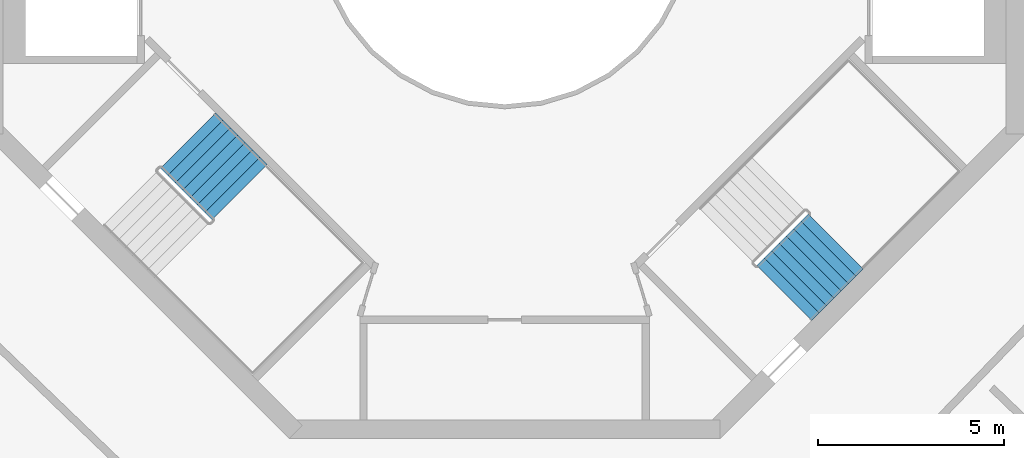
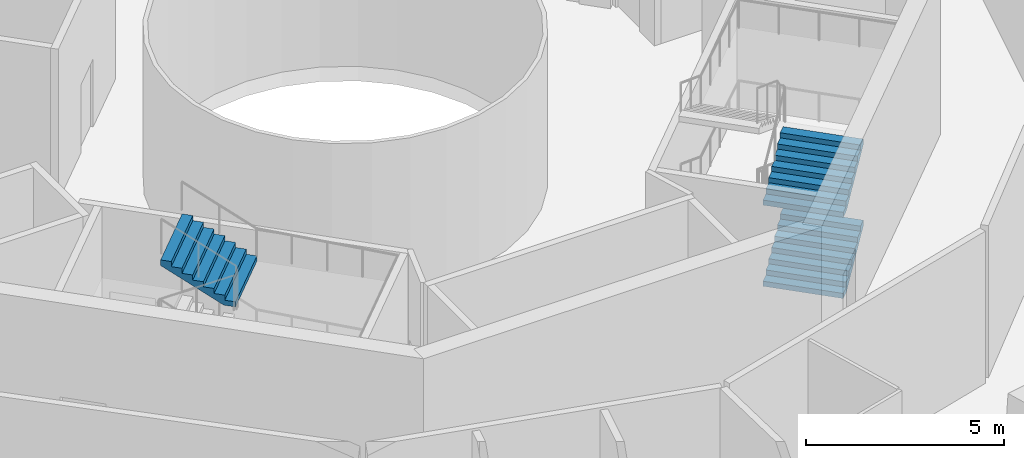
# One storey, part 13 of 17: 3 stair flights, 2 elements without a shape of their own.
"""IFC4 building model written with IfcOpenShell, lengths in metres."""

from ifc_helpers import new_model, si_unit, direction, frame, origin, place, context, subcontext, project, spatial, triangles, material, type_object, element, aggregate, save


model = new_model("IFC4")

# Units and contexts
model_context = context("Model", 3, precision=1e-05, world=origin(), true_north=direction((0.0, 1.0)))
body_context = subcontext(model_context, "Body", "Model", "MODEL_VIEW")
ifc_project = project(units=[si_unit("LENGTHUNIT", "METRE"), si_unit("AREAUNIT", "SQUARE_METRE"), si_unit("VOLUMEUNIT", "CUBIC_METRE"), si_unit("PLANEANGLEUNIT", "RADIAN"), si_unit("MASSUNIT", "GRAM", prefix="KILO")], contexts=[model_context])

# Site, building, storey
site_placement = place(None, origin())
site = spatial("IfcSite", under=ifc_project, at=site_placement, CompositionType="ELEMENT")
building_placement = place(site_placement, origin())
building = spatial("IfcBuilding", under=site, at=building_placement, Name="Verdalira Terraces Hotel", CompositionType="ELEMENT")
storey_placement = place(building_placement, frame((0.0, 0.0, 222.0)))
storey = spatial("IfcBuildingStorey", under=building, at=storey_placement, Name="L54", CompositionType="ELEMENT", Elevation=222.0)

# Stair, stair flight
ifc_material_1 = material(Name="Concrete C40", Category="concrete")
stair_type = type_object("IfcStairType", Name="Core stair 32 risers 2100 mm wide", PredefinedType="HALF_TURN_STAIR", material=ifc_material_1)
stair_1_placement = place(storey_placement, origin())
stair_1 = element("IfcStair", 1, at=stair_1_placement, inside=storey, type_object=stair_type, Name="L54 Exit stair ST2", PredefinedType="HALF_TURN_STAIR")
ifc_material_2 = material(Name="Concrete C40", Category="concrete")
stair_flight_type = type_object("IfcStairFlightType", Name="Core stair flight 32 risers 2100 mm wide", PredefinedType="STRAIGHT", material=ifc_material_2)
stair_flight_1_placement = place(storey_placement, frame((-7.134766, -7.361084, 3.75), z_axis=(0.0, 0.0, 1.0), x_axis=(-0.707106781, 0.707106781, 0.0)))
stair_flight_1 = element("IfcStairFlight", 2, at=stair_flight_1_placement, type_object=stair_flight_type, Name="ST2 flight 4", NumberOfRisers=8, NumberOfTreads=7, PredefinedType="STRAIGHT", RiserHeight=0.15625, TreadLength=0.28, context=body_context, shape_type="Tessellation", body=[
    triangles([(0.0, 1.050049, 0.0), (0.307617, 1.050049, 0.0), (1.959961, 1.050049, 0.922119), (0.0, -1.050049, 0.0), (0.307617, -1.050049, 0.0), (1.959961, -1.050049, 0.922119), (1.959961, 1.050049, 1.09375), (1.679932, 1.050049, 1.09375), (1.959961, -1.050049, 1.09375), (1.679932, -1.050049, 1.09375), (1.679932, 1.050049, 0.9375), (1.679932, -1.050049, 0.9375), (1.399902, 1.050049, 0.9375), (1.399902, -1.050049, 0.9375), (1.399902, 1.050049, 0.78125), (1.399902, -1.050049, 0.78125), (1.120117, 1.050049, 0.78125), (1.120117, 1.050049, 0.625), (1.120117, -1.050049, 0.78125), (1.120117, -1.050049, 0.625), (0.840088, 1.050049, 0.625), (0.840088, 1.050049, 0.46875), (0.840088, -1.050049, 0.625), (0.840088, -1.050049, 0.46875), (0.560059, 1.050049, 0.46875), (0.560059, 1.050049, 0.3125), (0.560059, -1.050049, 0.46875), (0.560059, -1.050049, 0.3125), (0.280029, 1.050049, 0.3125), (0.280029, 1.050049, 0.15625), (0.280029, -1.050049, 0.3125), (0.280029, -1.050049, 0.15625), (0.0, 1.050049, 0.15625), (0.0, -1.050049, 0.15625), (0.0, -0.984421, 0.0), (0.0, -0.984421, 0.15625), (0.0, -0.918793, 0.0), (0.0, -0.918793, 0.15625), (0.0, -0.853165, 0.0), (0.0, -0.853165, 0.15625), (0.0, -0.787537, 0.0), (0.0, -0.787537, 0.15625), (0.0, -0.721909, 0.0), (0.0, -0.721909, 0.15625), (0.0, -0.656281, 0.0), (0.0, -0.656281, 0.15625), (0.0, -0.590652, 0.0), (0.0, -0.590652, 0.15625), (0.0, -0.525024, 0.0), (0.0, -0.525024, 0.15625), (0.0, -0.459396, 0.0), (0.0, -0.459396, 0.15625), (0.0, -0.393768, 0.0), (0.0, -0.393768, 0.15625), (0.0, -0.32814, 0.0), (0.0, -0.32814, 0.15625), (0.0, -0.262512, 0.0), (0.0, -0.262512, 0.15625), (0.0, -0.196884, 0.0), (0.0, -0.196884, 0.15625), (0.0, -0.131256, 0.0), (0.0, -0.131256, 0.15625), (0.0, -0.065628, 0.0), (0.0, -0.065628, 0.15625), (0.0, 0.0, 0.0), (0.0, 0.0, 0.15625), (0.0, 0.065628, 0.0), (0.0, 0.065628, 0.15625), (0.0, 0.131256, 0.0), (0.0, 0.131256, 0.15625), (0.0, 0.196884, 0.0), (0.0, 0.196884, 0.15625), (0.0, 0.262512, 0.0), (0.0, 0.262512, 0.15625), (0.0, 0.32814, 0.0), (0.0, 0.32814, 0.15625), (0.0, 0.393768, 0.0), (0.0, 0.393768, 0.15625), (0.0, 0.459396, 0.0), (0.0, 0.459396, 0.15625), (0.0, 0.525024, 0.0), (0.0, 0.525024, 0.15625), (0.0, 0.590652, 0.0), (0.0, 0.590652, 0.15625), (0.0, 0.656281, 0.0), (0.0, 0.656281, 0.15625), (0.0, 0.721909, 0.0), (0.0, 0.721909, 0.15625), (0.0, 0.787537, 0.0), (0.0, 0.787537, 0.15625), (0.0, 0.853165, 0.0), (0.0, 0.853165, 0.15625), (0.0, 0.918793, 0.0), (0.0, 0.918793, 0.15625), (0.0, 0.984421, 0.0), (0.0, 0.984421, 0.15625), (1.959961, -0.984421, 1.09375), (1.959961, -0.918793, 1.09375), (1.959961, -0.853165, 1.09375), (1.959961, -0.787537, 1.09375), (1.959961, -0.721909, 1.09375), (1.959961, -0.656281, 1.09375), (1.959961, -0.590652, 1.09375), (1.959961, -0.525024, 1.09375), (1.959961, -0.459396, 1.09375), (1.959961, -0.393768, 1.09375), (1.959961, -0.32814, 1.09375), (1.959961, -0.262512, 1.09375), (1.959961, -0.196884, 1.09375), (1.959961, -0.131256, 1.09375), (1.959961, -0.065628, 1.09375), (1.959961, 0.0, 1.09375), (1.959961, 0.065628, 1.09375), (1.959961, 0.131256, 1.09375), (1.959961, 0.196884, 1.09375), (1.959961, 0.262512, 1.09375), (1.959961, 0.32814, 1.09375), (1.959961, 0.393768, 1.09375), (1.959961, 0.459396, 1.09375), (1.959961, 0.525024, 1.09375), (1.959961, 0.590652, 1.09375), (1.959961, 0.656281, 1.09375), (1.959961, 0.721909, 1.09375), (1.959961, 0.787537, 1.09375), (1.959961, 0.853165, 1.09375), (1.959961, 0.918793, 1.09375), (1.959961, 0.984421, 1.09375), (1.959961, -0.984421, 0.922119), (1.959961, -0.918793, 0.922119), (1.959961, -0.853165, 0.922119), (1.959961, -0.787537, 0.922119), (1.959961, -0.721909, 0.922119), (1.959961, -0.656281, 0.922119), (1.959961, -0.590652, 0.922119), (1.959961, -0.525024, 0.922119), (1.959961, -0.459396, 0.922119), (1.959961, -0.393768, 0.922119), (1.959961, -0.32814, 0.922119), (1.959961, -0.262512, 0.922119), (1.959961, -0.196884, 0.922119), (1.959961, -0.131256, 0.922119), (1.959961, -0.065628, 0.922119), (1.959961, 0.0, 0.922119), (1.959961, 0.065628, 0.922119), (1.959961, 0.131256, 0.922119), (1.959961, 0.196884, 0.922119), (1.959961, 0.262512, 0.922119), (1.959961, 0.32814, 0.922119), (1.959961, 0.393768, 0.922119), (1.959961, 0.459396, 0.922119), (1.959961, 0.525024, 0.922119), (1.959961, 0.590652, 0.922119), (1.959961, 0.656281, 0.922119), (1.959961, 0.721909, 0.922119), (1.959961, 0.787537, 0.922119), (1.959961, 0.853165, 0.922119), (1.959961, 0.918793, 0.922119), (1.959961, 0.984421, 0.922119)], [[1, 3, 2], [4, 5, 6], [3, 8, 7], [6, 9, 10], [3, 11, 8], [6, 10, 12], [3, 13, 11], [6, 12, 14], [3, 15, 13], [6, 14, 16], [15, 18, 17], [16, 19, 20], [3, 18, 15], [6, 16, 20], [18, 22, 21], [20, 23, 24], [3, 22, 18], [6, 20, 24], [22, 26, 25], [24, 27, 28], [3, 26, 22], [6, 24, 28], [26, 30, 29], [28, 31, 32], [3, 30, 26], [6, 28, 32], [1, 30, 3], [4, 6, 32], [30, 1, 33], [32, 34, 4], [4, 36, 35], [4, 34, 36], [35, 38, 37], [35, 36, 38], [37, 40, 39], [37, 38, 40], [39, 42, 41], [39, 40, 42], [41, 44, 43], [41, 42, 44], [43, 46, 45], [43, 44, 46], [45, 48, 47], [45, 46, 48], [47, 50, 49], [47, 48, 50], [49, 52, 51], [49, 50, 52], [51, 54, 53], [51, 52, 54], [53, 56, 55], [53, 54, 56], [55, 58, 57], [55, 56, 58], [57, 60, 59], [57, 58, 60], [59, 62, 61], [59, 60, 62], [61, 64, 63], [61, 62, 64], [63, 66, 65], [63, 64, 66], [65, 68, 67], [65, 66, 68], [67, 70, 69], [67, 68, 70], [69, 72, 71], [69, 70, 72], [71, 74, 73], [71, 72, 74], [73, 76, 75], [73, 74, 76], [75, 78, 77], [75, 76, 78], [77, 80, 79], [77, 78, 80], [79, 82, 81], [79, 80, 82], [81, 84, 83], [81, 82, 84], [83, 86, 85], [83, 84, 86], [85, 88, 87], [85, 86, 88], [87, 90, 89], [87, 88, 90], [89, 92, 91], [89, 90, 92], [91, 94, 93], [91, 92, 94], [93, 96, 95], [93, 94, 96], [95, 33, 1], [95, 96, 33], [34, 32, 36], [36, 32, 38], [38, 32, 40], [40, 32, 42], [42, 32, 44], [44, 32, 46], [46, 32, 48], [48, 32, 50], [50, 32, 52], [52, 32, 54], [54, 32, 56], [56, 32, 58], [58, 32, 60], [60, 32, 62], [62, 32, 64], [64, 32, 66], [66, 32, 68], [68, 32, 70], [70, 32, 72], [72, 32, 74], [74, 32, 76], [76, 32, 78], [78, 32, 80], [80, 32, 82], [82, 32, 84], [84, 32, 86], [86, 32, 88], [88, 32, 90], [90, 32, 92], [92, 32, 94], [94, 32, 96], [96, 32, 33], [33, 32, 30], [32, 29, 30], [32, 31, 29], [31, 26, 29], [31, 28, 26], [28, 25, 26], [28, 27, 25], [27, 22, 25], [27, 24, 22], [24, 21, 22], [24, 23, 21], [23, 18, 21], [23, 20, 18], [20, 17, 18], [20, 19, 17], [19, 15, 17], [19, 16, 15], [16, 13, 15], [16, 14, 13], [14, 11, 13], [14, 12, 11], [12, 8, 11], [12, 10, 8], [9, 97, 10], [97, 98, 10], [98, 99, 10], [99, 100, 10], [100, 101, 10], [101, 102, 10], [102, 103, 10], [103, 104, 10], [104, 105, 10], [105, 106, 10], [106, 107, 10], [107, 108, 10], [108, 109, 10], [109, 110, 10], [110, 111, 10], [111, 112, 10], [112, 113, 10], [113, 114, 10], [114, 115, 10], [115, 116, 10], [116, 117, 10], [117, 118, 10], [118, 119, 10], [119, 120, 10], [120, 121, 10], [121, 122, 10], [122, 123, 10], [123, 124, 10], [124, 125, 10], [125, 126, 10], [126, 127, 10], [127, 7, 10], [7, 8, 10], [9, 128, 97], [9, 6, 128], [97, 129, 98], [97, 128, 129], [98, 130, 99], [98, 129, 130], [99, 131, 100], [99, 130, 131], [100, 132, 101], [100, 131, 132], [101, 133, 102], [101, 132, 133], [102, 134, 103], [102, 133, 134], [103, 135, 104], [103, 134, 135], [104, 136, 105], [104, 135, 136], [105, 137, 106], [105, 136, 137], [106, 138, 107], [106, 137, 138], [107, 139, 108], [107, 138, 139], [108, 140, 109], [108, 139, 140], [109, 141, 110], [109, 140, 141], [110, 142, 111], [110, 141, 142], [111, 143, 112], [111, 142, 143], [112, 144, 113], [112, 143, 144], [113, 145, 114], [113, 144, 145], [114, 146, 115], [114, 145, 146], [115, 147, 116], [115, 146, 147], [116, 148, 117], [116, 147, 148], [117, 149, 118], [117, 148, 149], [118, 150, 119], [118, 149, 150], [119, 151, 120], [119, 150, 151], [120, 152, 121], [120, 151, 152], [121, 153, 122], [121, 152, 153], [122, 154, 123], [122, 153, 154], [123, 155, 124], [123, 154, 155], [124, 156, 125], [124, 155, 156], [125, 157, 126], [125, 156, 157], [126, 158, 127], [126, 157, 158], [127, 3, 7], [127, 158, 3], [6, 5, 128], [128, 5, 129], [129, 5, 130], [130, 5, 131], [131, 5, 132], [132, 5, 133], [133, 5, 134], [134, 5, 135], [135, 5, 136], [136, 5, 137], [137, 5, 138], [138, 5, 139], [139, 5, 140], [140, 5, 141], [141, 5, 142], [142, 5, 143], [143, 5, 144], [144, 5, 145], [145, 5, 146], [146, 5, 147], [147, 5, 148], [148, 5, 149], [149, 5, 150], [150, 5, 151], [151, 5, 152], [152, 5, 153], [153, 5, 154], [154, 5, 155], [155, 5, 156], [156, 5, 157], [157, 5, 158], [158, 5, 3], [3, 5, 2], [4, 35, 5], [35, 37, 5], [37, 39, 5], [39, 41, 5], [41, 43, 5], [43, 45, 5], [45, 47, 5], [47, 49, 5], [49, 51, 5], [51, 53, 5], [53, 55, 5], [55, 57, 5], [57, 59, 5], [59, 61, 5], [61, 63, 5], [63, 65, 5], [65, 67, 5], [67, 69, 5], [69, 71, 5], [71, 73, 5], [73, 75, 5], [75, 77, 5], [77, 79, 5], [79, 81, 5], [81, 83, 5], [83, 85, 5], [85, 87, 5], [87, 89, 5], [89, 91, 5], [91, 93, 5], [93, 95, 5], [95, 1, 5], [1, 2, 5]], closed=True),
])
aggregate(stair_1, [stair_flight_1])

# Stair, stair flights
stair_2_placement = place(storey_placement, origin())
stair_2 = element("IfcStair", 3, at=stair_2_placement, inside=storey, type_object=stair_type, Name="L54 Exit stair ST3", PredefinedType="HALF_TURN_STAIR")
stair_flight_2_placement = place(storey_placement, frame((7.530762, -10.076172, 0.0), z_axis=(0.0, 0.0, 1.0), x_axis=(0.707106781, 0.707106781, 0.0)))
stair_flight_2 = element("IfcStairFlight", 4, at=stair_flight_2_placement, type_object=stair_flight_type, Name="ST3 flight 1", NumberOfRisers=8, NumberOfTreads=7, PredefinedType="STRAIGHT", RiserHeight=0.15625, TreadLength=0.28, context=body_context, shape_type="Tessellation", body=[
    triangles([(0.0, 1.050049, 0.0), (0.307617, 1.050049, 0.0), (1.959961, 1.050049, 0.922119), (0.0, -1.050049, 0.0), (0.307617, -1.050049, 0.0), (1.959961, -1.050049, 0.922119), (1.959961, 1.050049, 1.09375), (1.679932, 1.050049, 1.09375), (1.959961, -1.050049, 1.09375), (1.679932, -1.050049, 1.09375), (1.679932, 1.050049, 0.9375), (1.679932, -1.050049, 0.9375), (1.399902, 1.050049, 0.9375), (1.399902, -1.050049, 0.9375), (1.399902, 1.050049, 0.78125), (1.399902, -1.050049, 0.78125), (1.120117, 1.050049, 0.78125), (1.120117, 1.050049, 0.625), (1.120117, -1.050049, 0.78125), (1.120117, -1.050049, 0.625), (0.840088, 1.050049, 0.625), (0.840088, 1.050049, 0.46875), (0.840088, -1.050049, 0.625), (0.840088, -1.050049, 0.46875), (0.560059, 1.050049, 0.46875), (0.560059, 1.050049, 0.3125), (0.560059, -1.050049, 0.46875), (0.560059, -1.050049, 0.3125), (0.280029, 1.050049, 0.3125), (0.280029, 1.050049, 0.15625), (0.280029, -1.050049, 0.3125), (0.280029, -1.050049, 0.15625), (0.0, 1.050049, 0.15625), (0.0, -1.050049, 0.15625), (0.0, -0.984421, 0.0), (0.0, -0.984421, 0.15625), (0.0, -0.918793, 0.0), (0.0, -0.918793, 0.15625), (0.0, -0.853165, 0.0), (0.0, -0.853165, 0.15625), (0.0, -0.787537, 0.0), (0.0, -0.787537, 0.15625), (0.0, -0.721909, 0.0), (0.0, -0.721909, 0.15625), (0.0, -0.656281, 0.0), (0.0, -0.656281, 0.15625), (0.0, -0.590652, 0.0), (0.0, -0.590652, 0.15625), (0.0, -0.525024, 0.0), (0.0, -0.525024, 0.15625), (0.0, -0.459396, 0.0), (0.0, -0.459396, 0.15625), (0.0, -0.393768, 0.0), (0.0, -0.393768, 0.15625), (0.0, -0.32814, 0.0), (0.0, -0.32814, 0.15625), (0.0, -0.262512, 0.0), (0.0, -0.262512, 0.15625), (0.0, -0.196884, 0.0), (0.0, -0.196884, 0.15625), (0.0, -0.131256, 0.0), (0.0, -0.131256, 0.15625), (0.0, -0.065628, 0.0), (0.0, -0.065628, 0.15625), (0.0, 0.0, 0.0), (0.0, 0.0, 0.15625), (0.0, 0.065628, 0.0), (0.0, 0.065628, 0.15625), (0.0, 0.131256, 0.0), (0.0, 0.131256, 0.15625), (0.0, 0.196884, 0.0), (0.0, 0.196884, 0.15625), (0.0, 0.262512, 0.0), (0.0, 0.262512, 0.15625), (0.0, 0.32814, 0.0), (0.0, 0.32814, 0.15625), (0.0, 0.393768, 0.0), (0.0, 0.393768, 0.15625), (0.0, 0.459396, 0.0), (0.0, 0.459396, 0.15625), (0.0, 0.525024, 0.0), (0.0, 0.525024, 0.15625), (0.0, 0.590652, 0.0), (0.0, 0.590652, 0.15625), (0.0, 0.656281, 0.0), (0.0, 0.656281, 0.15625), (0.0, 0.721909, 0.0), (0.0, 0.721909, 0.15625), (0.0, 0.787537, 0.0), (0.0, 0.787537, 0.15625), (0.0, 0.853165, 0.0), (0.0, 0.853165, 0.15625), (0.0, 0.918793, 0.0), (0.0, 0.918793, 0.15625), (0.0, 0.984421, 0.0), (0.0, 0.984421, 0.15625), (1.959961, -0.984421, 1.09375), (1.959961, -0.918793, 1.09375), (1.959961, -0.853165, 1.09375), (1.959961, -0.787537, 1.09375), (1.959961, -0.721909, 1.09375), (1.959961, -0.656281, 1.09375), (1.959961, -0.590652, 1.09375), (1.959961, -0.525024, 1.09375), (1.959961, -0.459396, 1.09375), (1.959961, -0.393768, 1.09375), (1.959961, -0.32814, 1.09375), (1.959961, -0.262512, 1.09375), (1.959961, -0.196884, 1.09375), (1.959961, -0.131256, 1.09375), (1.959961, -0.065628, 1.09375), (1.959961, 0.0, 1.09375), (1.959961, 0.065628, 1.09375), (1.959961, 0.131256, 1.09375), (1.959961, 0.196884, 1.09375), (1.959961, 0.262512, 1.09375), (1.959961, 0.32814, 1.09375), (1.959961, 0.393768, 1.09375), (1.959961, 0.459396, 1.09375), (1.959961, 0.525024, 1.09375), (1.959961, 0.590652, 1.09375), (1.959961, 0.656281, 1.09375), (1.959961, 0.721909, 1.09375), (1.959961, 0.787537, 1.09375), (1.959961, 0.853165, 1.09375), (1.959961, 0.918793, 1.09375), (1.959961, 0.984421, 1.09375), (1.959961, -0.984421, 0.922119), (1.959961, -0.918793, 0.922119), (1.959961, -0.853165, 0.922119), (1.959961, -0.787537, 0.922119), (1.959961, -0.721909, 0.922119), (1.959961, -0.656281, 0.922119), (1.959961, -0.590652, 0.922119), (1.959961, -0.525024, 0.922119), (1.959961, -0.459396, 0.922119), (1.959961, -0.393768, 0.922119), (1.959961, -0.32814, 0.922119), (1.959961, -0.262512, 0.922119), (1.959961, -0.196884, 0.922119), (1.959961, -0.131256, 0.922119), (1.959961, -0.065628, 0.922119), (1.959961, 0.0, 0.922119), (1.959961, 0.065628, 0.922119), (1.959961, 0.131256, 0.922119), (1.959961, 0.196884, 0.922119), (1.959961, 0.262512, 0.922119), (1.959961, 0.32814, 0.922119), (1.959961, 0.393768, 0.922119), (1.959961, 0.459396, 0.922119), (1.959961, 0.525024, 0.922119), (1.959961, 0.590652, 0.922119), (1.959961, 0.656281, 0.922119), (1.959961, 0.721909, 0.922119), (1.959961, 0.787537, 0.922119), (1.959961, 0.853165, 0.922119), (1.959961, 0.918793, 0.922119), (1.959961, 0.984421, 0.922119)], [[1, 3, 2], [4, 5, 6], [3, 8, 7], [6, 9, 10], [3, 11, 8], [6, 10, 12], [3, 13, 11], [6, 12, 14], [3, 15, 13], [6, 14, 16], [15, 18, 17], [16, 19, 20], [3, 18, 15], [6, 16, 20], [18, 22, 21], [20, 23, 24], [3, 22, 18], [6, 20, 24], [22, 26, 25], [24, 27, 28], [3, 26, 22], [6, 24, 28], [26, 30, 29], [28, 31, 32], [3, 30, 26], [6, 28, 32], [1, 30, 3], [4, 6, 32], [30, 1, 33], [32, 34, 4], [4, 36, 35], [4, 34, 36], [35, 38, 37], [35, 36, 38], [37, 40, 39], [37, 38, 40], [39, 42, 41], [39, 40, 42], [41, 44, 43], [41, 42, 44], [43, 46, 45], [43, 44, 46], [45, 48, 47], [45, 46, 48], [47, 50, 49], [47, 48, 50], [49, 52, 51], [49, 50, 52], [51, 54, 53], [51, 52, 54], [53, 56, 55], [53, 54, 56], [55, 58, 57], [55, 56, 58], [57, 60, 59], [57, 58, 60], [59, 62, 61], [59, 60, 62], [61, 64, 63], [61, 62, 64], [63, 66, 65], [63, 64, 66], [65, 68, 67], [65, 66, 68], [67, 70, 69], [67, 68, 70], [69, 72, 71], [69, 70, 72], [71, 74, 73], [71, 72, 74], [73, 76, 75], [73, 74, 76], [75, 78, 77], [75, 76, 78], [77, 80, 79], [77, 78, 80], [79, 82, 81], [79, 80, 82], [81, 84, 83], [81, 82, 84], [83, 86, 85], [83, 84, 86], [85, 88, 87], [85, 86, 88], [87, 90, 89], [87, 88, 90], [89, 92, 91], [89, 90, 92], [91, 94, 93], [91, 92, 94], [93, 96, 95], [93, 94, 96], [95, 33, 1], [95, 96, 33], [34, 32, 36], [36, 32, 38], [38, 32, 40], [40, 32, 42], [42, 32, 44], [44, 32, 46], [46, 32, 48], [48, 32, 50], [50, 32, 52], [52, 32, 54], [54, 32, 56], [56, 32, 58], [58, 32, 60], [60, 32, 62], [62, 32, 64], [64, 32, 66], [66, 32, 68], [68, 32, 70], [70, 32, 72], [72, 32, 74], [74, 32, 76], [76, 32, 78], [78, 32, 80], [80, 32, 82], [82, 32, 84], [84, 32, 86], [86, 32, 88], [88, 32, 90], [90, 32, 92], [92, 32, 94], [94, 32, 96], [96, 32, 33], [33, 32, 30], [32, 29, 30], [32, 31, 29], [31, 26, 29], [31, 28, 26], [28, 25, 26], [28, 27, 25], [27, 22, 25], [27, 24, 22], [24, 21, 22], [24, 23, 21], [23, 18, 21], [23, 20, 18], [20, 17, 18], [20, 19, 17], [19, 15, 17], [19, 16, 15], [16, 13, 15], [16, 14, 13], [14, 11, 13], [14, 12, 11], [12, 8, 11], [12, 10, 8], [9, 97, 10], [97, 98, 10], [98, 99, 10], [99, 100, 10], [100, 101, 10], [101, 102, 10], [102, 103, 10], [103, 104, 10], [104, 105, 10], [105, 106, 10], [106, 107, 10], [107, 108, 10], [108, 109, 10], [109, 110, 10], [110, 111, 10], [111, 112, 10], [112, 113, 10], [113, 114, 10], [114, 115, 10], [115, 116, 10], [116, 117, 10], [117, 118, 10], [118, 119, 10], [119, 120, 10], [120, 121, 10], [121, 122, 10], [122, 123, 10], [123, 124, 10], [124, 125, 10], [125, 126, 10], [126, 127, 10], [127, 7, 10], [7, 8, 10], [9, 128, 97], [9, 6, 128], [97, 129, 98], [97, 128, 129], [98, 130, 99], [98, 129, 130], [99, 131, 100], [99, 130, 131], [100, 132, 101], [100, 131, 132], [101, 133, 102], [101, 132, 133], [102, 134, 103], [102, 133, 134], [103, 135, 104], [103, 134, 135], [104, 136, 105], [104, 135, 136], [105, 137, 106], [105, 136, 137], [106, 138, 107], [106, 137, 138], [107, 139, 108], [107, 138, 139], [108, 140, 109], [108, 139, 140], [109, 141, 110], [109, 140, 141], [110, 142, 111], [110, 141, 142], [111, 143, 112], [111, 142, 143], [112, 144, 113], [112, 143, 144], [113, 145, 114], [113, 144, 145], [114, 146, 115], [114, 145, 146], [115, 147, 116], [115, 146, 147], [116, 148, 117], [116, 147, 148], [117, 149, 118], [117, 148, 149], [118, 150, 119], [118, 149, 150], [119, 151, 120], [119, 150, 151], [120, 152, 121], [120, 151, 152], [121, 153, 122], [121, 152, 153], [122, 154, 123], [122, 153, 154], [123, 155, 124], [123, 154, 155], [124, 156, 125], [124, 155, 156], [125, 157, 126], [125, 156, 157], [126, 158, 127], [126, 157, 158], [127, 3, 7], [127, 158, 3], [6, 5, 128], [128, 5, 129], [129, 5, 130], [130, 5, 131], [131, 5, 132], [132, 5, 133], [133, 5, 134], [134, 5, 135], [135, 5, 136], [136, 5, 137], [137, 5, 138], [138, 5, 139], [139, 5, 140], [140, 5, 141], [141, 5, 142], [142, 5, 143], [143, 5, 144], [144, 5, 145], [145, 5, 146], [146, 5, 147], [147, 5, 148], [148, 5, 149], [149, 5, 150], [150, 5, 151], [151, 5, 152], [152, 5, 153], [153, 5, 154], [154, 5, 155], [155, 5, 156], [156, 5, 157], [157, 5, 158], [158, 5, 3], [3, 5, 2], [4, 35, 5], [35, 37, 5], [37, 39, 5], [39, 41, 5], [41, 43, 5], [43, 45, 5], [45, 47, 5], [47, 49, 5], [49, 51, 5], [51, 53, 5], [53, 55, 5], [55, 57, 5], [57, 59, 5], [59, 61, 5], [61, 63, 5], [63, 65, 5], [65, 67, 5], [67, 69, 5], [69, 71, 5], [71, 73, 5], [73, 75, 5], [75, 77, 5], [77, 79, 5], [79, 81, 5], [81, 83, 5], [83, 85, 5], [85, 87, 5], [87, 89, 5], [89, 91, 5], [91, 93, 5], [93, 95, 5], [95, 1, 5], [1, 2, 5]], closed=True),
])
stair_flight_3_placement = place(storey_placement, frame((7.530762, -10.076172, 2.5), z_axis=(0.0, 0.0, 1.0), x_axis=(0.707106781, 0.707106781, 0.0)))
stair_flight_3 = element("IfcStairFlight", 5, at=stair_flight_3_placement, type_object=stair_flight_type, Name="ST3 flight 3", NumberOfRisers=8, NumberOfTreads=7, PredefinedType="STRAIGHT", RiserHeight=0.15625, TreadLength=0.28, context=body_context, shape_type="Tessellation", body=[
    triangles([(0.0, 1.050049, 0.0), (0.307617, 1.050049, 0.0), (1.959961, 1.050049, 0.922119), (0.0, -1.050049, 0.0), (0.307617, -1.050049, 0.0), (1.959961, -1.050049, 0.922119), (1.959961, 1.050049, 1.09375), (1.679932, 1.050049, 1.09375), (1.959961, -1.050049, 1.09375), (1.679932, -1.050049, 1.09375), (1.679932, 1.050049, 0.9375), (1.679932, -1.050049, 0.9375), (1.399902, 1.050049, 0.9375), (1.399902, -1.050049, 0.9375), (1.399902, 1.050049, 0.78125), (1.399902, -1.050049, 0.78125), (1.120117, 1.050049, 0.78125), (1.120117, 1.050049, 0.625), (1.120117, -1.050049, 0.78125), (1.120117, -1.050049, 0.625), (0.840088, 1.050049, 0.625), (0.840088, 1.050049, 0.46875), (0.840088, -1.050049, 0.625), (0.840088, -1.050049, 0.46875), (0.560059, 1.050049, 0.46875), (0.560059, 1.050049, 0.3125), (0.560059, -1.050049, 0.46875), (0.560059, -1.050049, 0.3125), (0.280029, 1.050049, 0.3125), (0.280029, 1.050049, 0.15625), (0.280029, -1.050049, 0.3125), (0.280029, -1.050049, 0.15625), (0.0, 1.050049, 0.15625), (0.0, -1.050049, 0.15625), (0.0, -0.984421, 0.0), (0.0, -0.984421, 0.15625), (0.0, -0.918793, 0.0), (0.0, -0.918793, 0.15625), (0.0, -0.853165, 0.0), (0.0, -0.853165, 0.15625), (0.0, -0.787537, 0.0), (0.0, -0.787537, 0.15625), (0.0, -0.721909, 0.0), (0.0, -0.721909, 0.15625), (0.0, -0.656281, 0.0), (0.0, -0.656281, 0.15625), (0.0, -0.590652, 0.0), (0.0, -0.590652, 0.15625), (0.0, -0.525024, 0.0), (0.0, -0.525024, 0.15625), (0.0, -0.459396, 0.0), (0.0, -0.459396, 0.15625), (0.0, -0.393768, 0.0), (0.0, -0.393768, 0.15625), (0.0, -0.32814, 0.0), (0.0, -0.32814, 0.15625), (0.0, -0.262512, 0.0), (0.0, -0.262512, 0.15625), (0.0, -0.196884, 0.0), (0.0, -0.196884, 0.15625), (0.0, -0.131256, 0.0), (0.0, -0.131256, 0.15625), (0.0, -0.065628, 0.0), (0.0, -0.065628, 0.15625), (0.0, 0.0, 0.0), (0.0, 0.0, 0.15625), (0.0, 0.065628, 0.0), (0.0, 0.065628, 0.15625), (0.0, 0.131256, 0.0), (0.0, 0.131256, 0.15625), (0.0, 0.196884, 0.0), (0.0, 0.196884, 0.15625), (0.0, 0.262512, 0.0), (0.0, 0.262512, 0.15625), (0.0, 0.32814, 0.0), (0.0, 0.32814, 0.15625), (0.0, 0.393768, 0.0), (0.0, 0.393768, 0.15625), (0.0, 0.459396, 0.0), (0.0, 0.459396, 0.15625), (0.0, 0.525024, 0.0), (0.0, 0.525024, 0.15625), (0.0, 0.590652, 0.0), (0.0, 0.590652, 0.15625), (0.0, 0.656281, 0.0), (0.0, 0.656281, 0.15625), (0.0, 0.721909, 0.0), (0.0, 0.721909, 0.15625), (0.0, 0.787537, 0.0), (0.0, 0.787537, 0.15625), (0.0, 0.853165, 0.0), (0.0, 0.853165, 0.15625), (0.0, 0.918793, 0.0), (0.0, 0.918793, 0.15625), (0.0, 0.984421, 0.0), (0.0, 0.984421, 0.15625), (1.959961, -0.984421, 1.09375), (1.959961, -0.918793, 1.09375), (1.959961, -0.853165, 1.09375), (1.959961, -0.787537, 1.09375), (1.959961, -0.721909, 1.09375), (1.959961, -0.656281, 1.09375), (1.959961, -0.590652, 1.09375), (1.959961, -0.525024, 1.09375), (1.959961, -0.459396, 1.09375), (1.959961, -0.393768, 1.09375), (1.959961, -0.32814, 1.09375), (1.959961, -0.262512, 1.09375), (1.959961, -0.196884, 1.09375), (1.959961, -0.131256, 1.09375), (1.959961, -0.065628, 1.09375), (1.959961, 0.0, 1.09375), (1.959961, 0.065628, 1.09375), (1.959961, 0.131256, 1.09375), (1.959961, 0.196884, 1.09375), (1.959961, 0.262512, 1.09375), (1.959961, 0.32814, 1.09375), (1.959961, 0.393768, 1.09375), (1.959961, 0.459396, 1.09375), (1.959961, 0.525024, 1.09375), (1.959961, 0.590652, 1.09375), (1.959961, 0.656281, 1.09375), (1.959961, 0.721909, 1.09375), (1.959961, 0.787537, 1.09375), (1.959961, 0.853165, 1.09375), (1.959961, 0.918793, 1.09375), (1.959961, 0.984421, 1.09375), (1.959961, -0.984421, 0.922119), (1.959961, -0.918793, 0.922119), (1.959961, -0.853165, 0.922119), (1.959961, -0.787537, 0.922119), (1.959961, -0.721909, 0.922119), (1.959961, -0.656281, 0.922119), (1.959961, -0.590652, 0.922119), (1.959961, -0.525024, 0.922119), (1.959961, -0.459396, 0.922119), (1.959961, -0.393768, 0.922119), (1.959961, -0.32814, 0.922119), (1.959961, -0.262512, 0.922119), (1.959961, -0.196884, 0.922119), (1.959961, -0.131256, 0.922119), (1.959961, -0.065628, 0.922119), (1.959961, 0.0, 0.922119), (1.959961, 0.065628, 0.922119), (1.959961, 0.131256, 0.922119), (1.959961, 0.196884, 0.922119), (1.959961, 0.262512, 0.922119), (1.959961, 0.32814, 0.922119), (1.959961, 0.393768, 0.922119), (1.959961, 0.459396, 0.922119), (1.959961, 0.525024, 0.922119), (1.959961, 0.590652, 0.922119), (1.959961, 0.656281, 0.922119), (1.959961, 0.721909, 0.922119), (1.959961, 0.787537, 0.922119), (1.959961, 0.853165, 0.922119), (1.959961, 0.918793, 0.922119), (1.959961, 0.984421, 0.922119)], [[1, 3, 2], [4, 5, 6], [3, 8, 7], [6, 9, 10], [3, 11, 8], [6, 10, 12], [3, 13, 11], [6, 12, 14], [3, 15, 13], [6, 14, 16], [15, 18, 17], [16, 19, 20], [3, 18, 15], [6, 16, 20], [18, 22, 21], [20, 23, 24], [3, 22, 18], [6, 20, 24], [22, 26, 25], [24, 27, 28], [3, 26, 22], [6, 24, 28], [26, 30, 29], [28, 31, 32], [3, 30, 26], [6, 28, 32], [1, 30, 3], [4, 6, 32], [30, 1, 33], [32, 34, 4], [4, 36, 35], [4, 34, 36], [35, 38, 37], [35, 36, 38], [37, 40, 39], [37, 38, 40], [39, 42, 41], [39, 40, 42], [41, 44, 43], [41, 42, 44], [43, 46, 45], [43, 44, 46], [45, 48, 47], [45, 46, 48], [47, 50, 49], [47, 48, 50], [49, 52, 51], [49, 50, 52], [51, 54, 53], [51, 52, 54], [53, 56, 55], [53, 54, 56], [55, 58, 57], [55, 56, 58], [57, 60, 59], [57, 58, 60], [59, 62, 61], [59, 60, 62], [61, 64, 63], [61, 62, 64], [63, 66, 65], [63, 64, 66], [65, 68, 67], [65, 66, 68], [67, 70, 69], [67, 68, 70], [69, 72, 71], [69, 70, 72], [71, 74, 73], [71, 72, 74], [73, 76, 75], [73, 74, 76], [75, 78, 77], [75, 76, 78], [77, 80, 79], [77, 78, 80], [79, 82, 81], [79, 80, 82], [81, 84, 83], [81, 82, 84], [83, 86, 85], [83, 84, 86], [85, 88, 87], [85, 86, 88], [87, 90, 89], [87, 88, 90], [89, 92, 91], [89, 90, 92], [91, 94, 93], [91, 92, 94], [93, 96, 95], [93, 94, 96], [95, 33, 1], [95, 96, 33], [34, 32, 36], [36, 32, 38], [38, 32, 40], [40, 32, 42], [42, 32, 44], [44, 32, 46], [46, 32, 48], [48, 32, 50], [50, 32, 52], [52, 32, 54], [54, 32, 56], [56, 32, 58], [58, 32, 60], [60, 32, 62], [62, 32, 64], [64, 32, 66], [66, 32, 68], [68, 32, 70], [70, 32, 72], [72, 32, 74], [74, 32, 76], [76, 32, 78], [78, 32, 80], [80, 32, 82], [82, 32, 84], [84, 32, 86], [86, 32, 88], [88, 32, 90], [90, 32, 92], [92, 32, 94], [94, 32, 96], [96, 32, 33], [33, 32, 30], [32, 29, 30], [32, 31, 29], [31, 26, 29], [31, 28, 26], [28, 25, 26], [28, 27, 25], [27, 22, 25], [27, 24, 22], [24, 21, 22], [24, 23, 21], [23, 18, 21], [23, 20, 18], [20, 17, 18], [20, 19, 17], [19, 15, 17], [19, 16, 15], [16, 13, 15], [16, 14, 13], [14, 11, 13], [14, 12, 11], [12, 8, 11], [12, 10, 8], [9, 97, 10], [97, 98, 10], [98, 99, 10], [99, 100, 10], [100, 101, 10], [101, 102, 10], [102, 103, 10], [103, 104, 10], [104, 105, 10], [105, 106, 10], [106, 107, 10], [107, 108, 10], [108, 109, 10], [109, 110, 10], [110, 111, 10], [111, 112, 10], [112, 113, 10], [113, 114, 10], [114, 115, 10], [115, 116, 10], [116, 117, 10], [117, 118, 10], [118, 119, 10], [119, 120, 10], [120, 121, 10], [121, 122, 10], [122, 123, 10], [123, 124, 10], [124, 125, 10], [125, 126, 10], [126, 127, 10], [127, 7, 10], [7, 8, 10], [9, 128, 97], [9, 6, 128], [97, 129, 98], [97, 128, 129], [98, 130, 99], [98, 129, 130], [99, 131, 100], [99, 130, 131], [100, 132, 101], [100, 131, 132], [101, 133, 102], [101, 132, 133], [102, 134, 103], [102, 133, 134], [103, 135, 104], [103, 134, 135], [104, 136, 105], [104, 135, 136], [105, 137, 106], [105, 136, 137], [106, 138, 107], [106, 137, 138], [107, 139, 108], [107, 138, 139], [108, 140, 109], [108, 139, 140], [109, 141, 110], [109, 140, 141], [110, 142, 111], [110, 141, 142], [111, 143, 112], [111, 142, 143], [112, 144, 113], [112, 143, 144], [113, 145, 114], [113, 144, 145], [114, 146, 115], [114, 145, 146], [115, 147, 116], [115, 146, 147], [116, 148, 117], [116, 147, 148], [117, 149, 118], [117, 148, 149], [118, 150, 119], [118, 149, 150], [119, 151, 120], [119, 150, 151], [120, 152, 121], [120, 151, 152], [121, 153, 122], [121, 152, 153], [122, 154, 123], [122, 153, 154], [123, 155, 124], [123, 154, 155], [124, 156, 125], [124, 155, 156], [125, 157, 126], [125, 156, 157], [126, 158, 127], [126, 157, 158], [127, 3, 7], [127, 158, 3], [6, 5, 128], [128, 5, 129], [129, 5, 130], [130, 5, 131], [131, 5, 132], [132, 5, 133], [133, 5, 134], [134, 5, 135], [135, 5, 136], [136, 5, 137], [137, 5, 138], [138, 5, 139], [139, 5, 140], [140, 5, 141], [141, 5, 142], [142, 5, 143], [143, 5, 144], [144, 5, 145], [145, 5, 146], [146, 5, 147], [147, 5, 148], [148, 5, 149], [149, 5, 150], [150, 5, 151], [151, 5, 152], [152, 5, 153], [153, 5, 154], [154, 5, 155], [155, 5, 156], [156, 5, 157], [157, 5, 158], [158, 5, 3], [3, 5, 2], [4, 35, 5], [35, 37, 5], [37, 39, 5], [39, 41, 5], [41, 43, 5], [43, 45, 5], [45, 47, 5], [47, 49, 5], [49, 51, 5], [51, 53, 5], [53, 55, 5], [55, 57, 5], [57, 59, 5], [59, 61, 5], [61, 63, 5], [63, 65, 5], [65, 67, 5], [67, 69, 5], [69, 71, 5], [71, 73, 5], [73, 75, 5], [75, 77, 5], [77, 79, 5], [79, 81, 5], [81, 83, 5], [83, 85, 5], [85, 87, 5], [87, 89, 5], [89, 91, 5], [91, 93, 5], [93, 95, 5], [95, 1, 5], [1, 2, 5]], closed=True),
])
aggregate(stair_2, [stair_flight_2, stair_flight_3])

save(model, "model.ifc")
